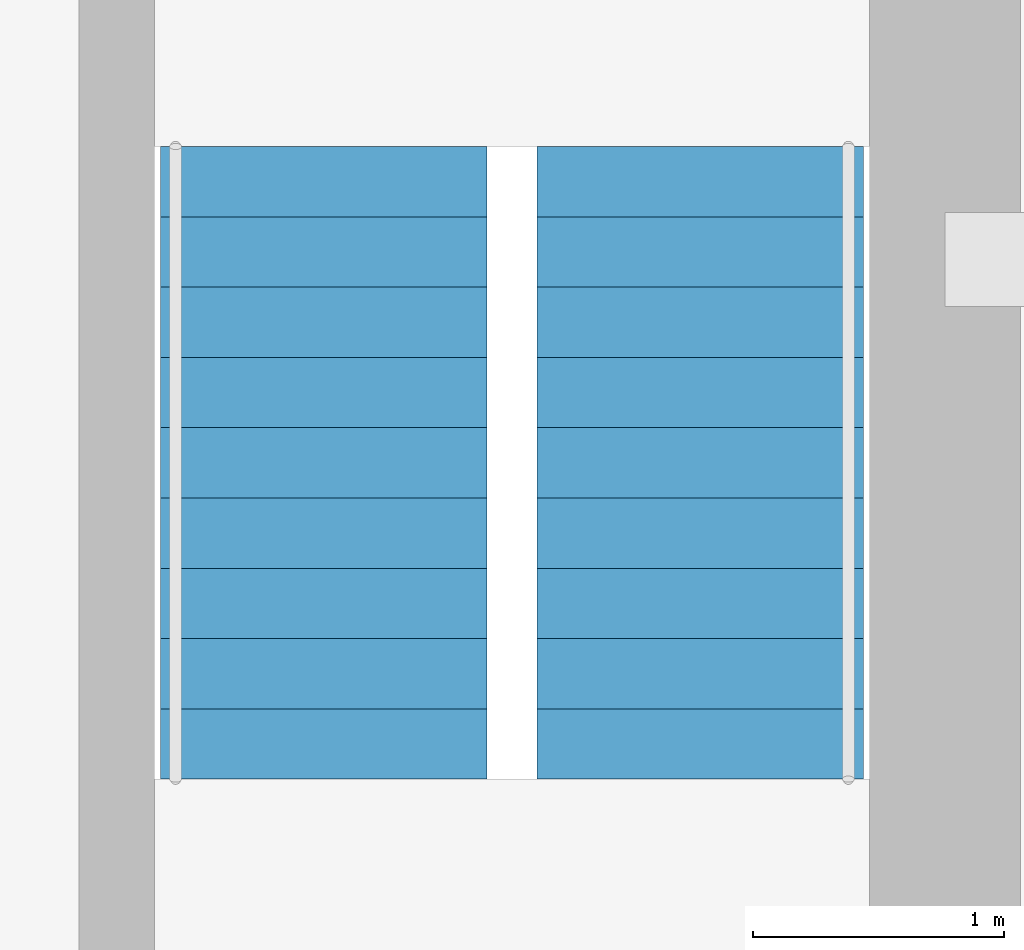
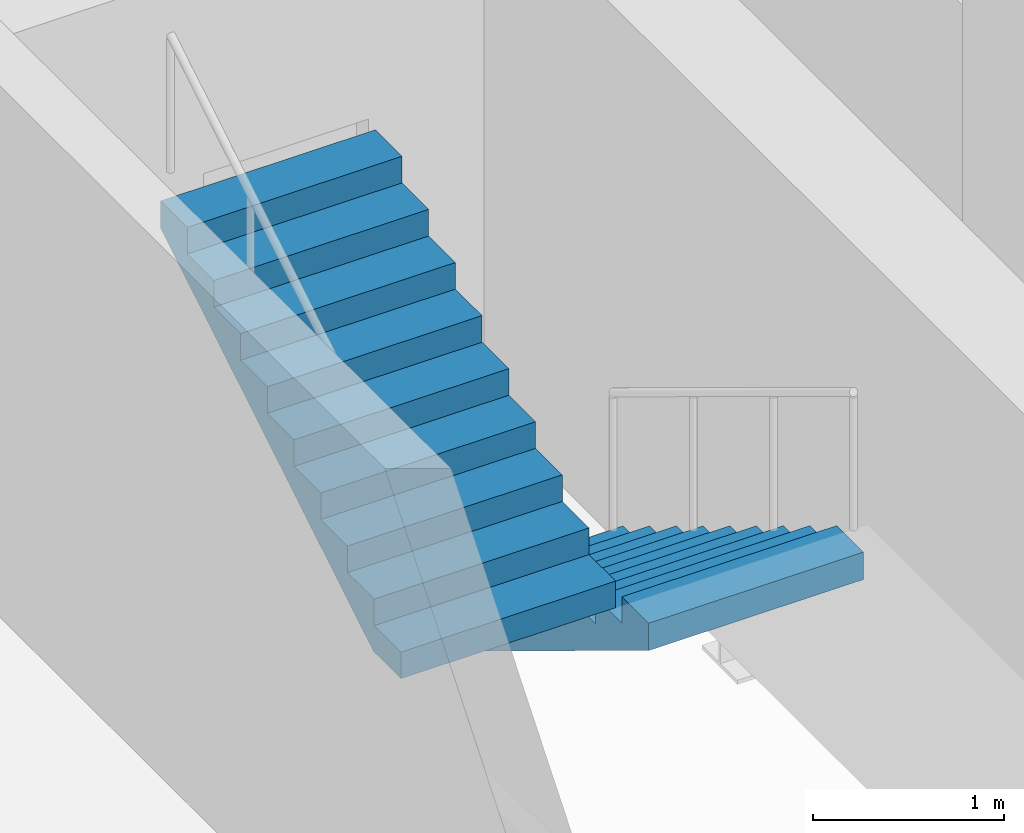
# One storey, part 11 of 14: 2 stair flights, 1 element without a shape of its own.
"""IFC4 building model written with IfcOpenShell, lengths in metres."""

from ifc_helpers import new_model, si_unit, direction, frame, origin, place, context, subcontext, project, spatial, polyline, outline, extrude, material, type_object, element, aggregate, save


model = new_model("IFC4")

# Units and contexts
model_context = context("Model", 3, precision=1e-05, world=origin(), true_north=direction((0.0, 1.0)))
body_context = subcontext(model_context, "Body", "Model", "MODEL_VIEW")
ifc_project = project(units=[si_unit("LENGTHUNIT", "METRE"), si_unit("AREAUNIT", "SQUARE_METRE"), si_unit("VOLUMEUNIT", "CUBIC_METRE"), si_unit("PLANEANGLEUNIT", "RADIAN"), si_unit("MASSUNIT", "GRAM", prefix="KILO")], contexts=[model_context])

# Site, building, storey
site_placement = place(None, origin())
site = spatial("IfcSite", under=ifc_project, at=site_placement, CompositionType="ELEMENT")
building_placement = place(site_placement, origin())
building = spatial("IfcBuilding", under=site, at=building_placement, Name="Loomwork Tower", CompositionType="ELEMENT")
storey_placement = place(building_placement, frame((0.0, 0.0, 167.199951171875)))
storey = spatial("IfcBuildingStorey", under=building, at=storey_placement, Name="L45", CompositionType="ELEMENT", Elevation=167.199951171875)

# Stair, stair flights
ifc_material_1 = material(Name="Concrete 5000 psi (34 MPa) precast stair", Category="concrete")
stair_type = type_object("IfcStairType", Name="Stair ST-B 20 risers 2850 wide", PredefinedType="HALF_TURN_STAIR", material=ifc_material_1)
stair_placement = place(storey_placement, origin())
stair = element("IfcStair", 1, at=stair_placement, inside=storey, type_object=stair_type, Name="Stair B L45", PredefinedType="HALF_TURN_STAIR")
ifc_material_2 = material(Name="Concrete 5000 psi (34 MPa) precast stair", Category="concrete")
stair_flight_type = type_object("IfcStairFlightType", Name="Stair flight ST-B 10 risers 1300 wide", PredefinedType="STRAIGHT", material=ifc_material_2)
stair_flight_1_placement = place(storey_placement, frame((32.925048828125, 18.449951171875, 0.0), z_axis=(0.0, 0.0, 1.0), x_axis=(0.0, -1.0, 0.0)))
stair_flight_1 = element("IfcStairFlight", 2, at=stair_flight_1_placement, type_object=stair_flight_type, Name="ST-B flight 1", NumberOfRisers=10, NumberOfTreads=9, PredefinedType="STRAIGHT", RiserHeight=0.17, TreadLength=0.28, context=body_context, shape_type="SweptSolid", body=[
    extrude(outline(polyline([(0.0, 0.0), (0.0, 0.169921875), (0.280029296875, 0.169921875), (0.280029296875, 0.340087890625), (0.56005859375, 0.340087890625), (0.56005859375, 0.510009765625), (0.840087890625, 0.510009765625), (0.840087890625, 0.679931640625), (1.1201171875, 0.679931640625), (1.1201171875, 0.85009765625), (1.39990234375, 0.85009765625), (1.39990234375, 1.02001953125), (1.679931640625, 1.02001953125), (1.679931640625, 1.18994140625), (1.9599609375, 1.18994140625), (1.9599609375, 1.360107421875), (2.239990234375, 1.360107421875), (2.239990234375, 1.530029296875), (2.52001953125, 1.530029296875), (2.52001953125, 1.699951171875), (2.52001953125, 1.354736328125), (0.288818359375, 0.0), (0.0, 0.0)])), frame((0.0, 0.64990234375, 0.0), z_axis=(0.0, -1.0, 0.0), x_axis=(1.0, 0.0, 0.0)), (0.0, 0.0, 1.0), 1.300048828125),
])
stair_flight_2_placement = place(storey_placement, frame((31.425048828125, 15.929931640625, 1.699951171875), z_axis=(0.0, 0.0, 1.0), x_axis=(0.0, 1.0, 0.0)))
stair_flight_2 = element("IfcStairFlight", 3, at=stair_flight_2_placement, type_object=stair_flight_type, Name="ST-B flight 2", NumberOfRisers=10, NumberOfTreads=9, PredefinedType="STRAIGHT", RiserHeight=0.17, TreadLength=0.28, context=body_context, shape_type="SweptSolid", body=[
    extrude(outline(polyline([(0.0, 0.0), (0.0, 0.169921875), (0.280029296875, 0.169921875), (0.280029296875, 0.340087890625), (0.56005859375, 0.340087890625), (0.56005859375, 0.510009765625), (0.840087890625, 0.510009765625), (0.840087890625, 0.679931640625), (1.1201171875, 0.679931640625), (1.1201171875, 0.85009765625), (1.39990234375, 0.85009765625), (1.39990234375, 1.02001953125), (1.679931640625, 1.02001953125), (1.679931640625, 1.18994140625), (1.9599609375, 1.18994140625), (1.9599609375, 1.360107421875), (2.239990234375, 1.360107421875), (2.239990234375, 1.530029296875), (2.52001953125, 1.530029296875), (2.52001953125, 1.699951171875), (2.52001953125, 1.354736328125), (0.288818359375, 0.0), (0.0, 0.0)])), frame((0.0, 0.64990234375, 0.0), z_axis=(0.0, -1.0, 0.0), x_axis=(1.0, 0.0, 0.0)), (0.0, 0.0, 1.0), 1.300048828125),
])
aggregate(stair, [stair_flight_1, stair_flight_2])

save(model, "model.ifc")
